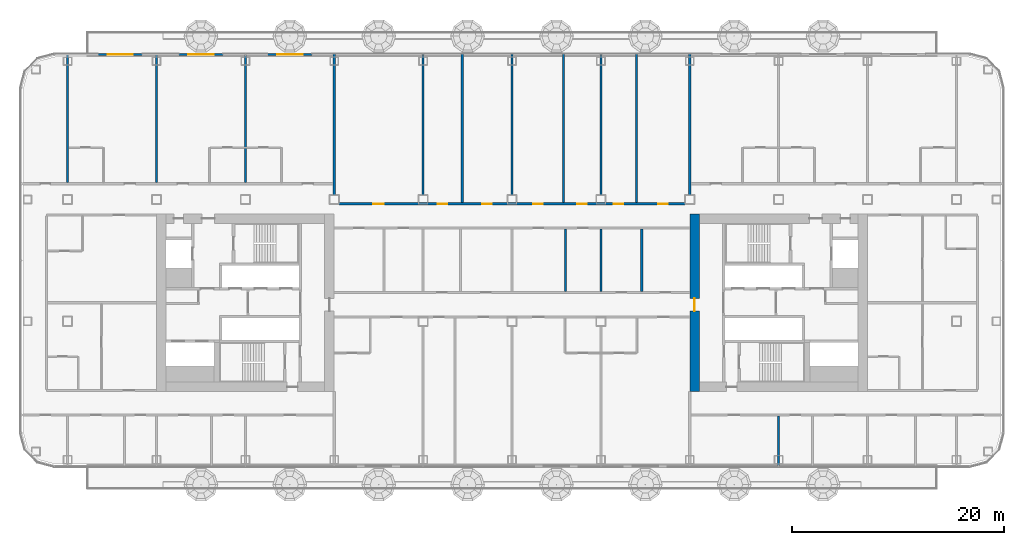
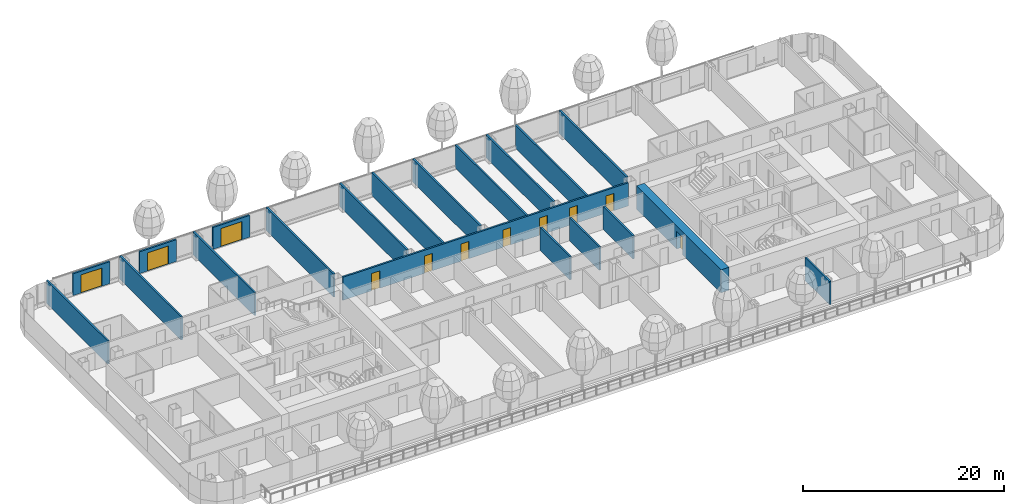
# One storey, part 16 of 34: 20 walls, 11 doors, 11 openings, 1 element without a shape of its own.
"""IFC4 building model written with IfcOpenShell, lengths in metres."""

from ifc_helpers import new_model, si_unit, direction, frame, frame_2d, origin, place, context, subcontext, project, spatial, rectangle, extrude, material, layer, layer_set, type_object, element, fill, aggregate, save


model = new_model("IFC4")

# Units and contexts
model_context = context("Model", 3, precision=1e-05, world=origin(), true_north=direction((0.0, 1.0)))
body_context = subcontext(model_context, "Body", "Model", "MODEL_VIEW")
ifc_project = project(units=[si_unit("LENGTHUNIT", "METRE"), si_unit("AREAUNIT", "SQUARE_METRE"), si_unit("VOLUMEUNIT", "CUBIC_METRE"), si_unit("PLANEANGLEUNIT", "RADIAN"), si_unit("MASSUNIT", "GRAM", prefix="KILO")], contexts=[model_context])

# Site, building, storey
site_placement = place(None, origin())
site = spatial("IfcSite", under=ifc_project, at=site_placement, CompositionType="ELEMENT")
building_placement = place(site_placement, origin())
building = spatial("IfcBuilding", under=site, at=building_placement, Name="Hakoniwa Tower and Hamabe Station Hall", CompositionType="ELEMENT")
storey_placement = place(building_placement, frame((0.0, 0.0, 107.39990234375)))
storey = spatial("IfcBuildingStorey", under=building, at=storey_placement, Name="L30", CompositionType="ELEMENT", Elevation=107.39990234375)

# Wall, opening, door
ifc_material_1 = material(Name="Concrete C72", Category="concrete")
ifc_layer_1 = layer(ifc_material_1, 0.89990234375)
ifc_layer_set_1 = layer_set([ifc_layer_1], Name="CORE WALL 900 C72")
wall_type_1 = type_object("IfcWallType", Name="CORE WALL 900 C72", PredefinedType="SHEAR", material=ifc_layer_set_1)
wall_1_placement = place(storey_placement, frame((17.25, -8.39990234375, 0.0), z_axis=(0.0, 0.0, 1.0), x_axis=(0.0, 1.0, 0.0)))
wall_1 = element("IfcWall", 1, at=wall_1_placement, inside=storey, type_object=wall_type_1, Name="Core wall INNER east", PredefinedType="SHEAR", context=body_context, shape_type="SweptSolid", body=[
    extrude(rectangle(XDim=16.7998046875, YDim=0.89990234375, at=frame_2d((8.39990234375, 0.0))), origin(), (0.0, 0.0, 1.0), 2.800048828125),
])
opening_1_placement = place(wall_1_placement, frame((7.60009765625, 0.0, 0.0)))
opening_1 = element("IfcOpeningElement", 2, at=opening_1_placement, cuts=wall_1, Name="Opening CD-E-IN1-12", PredefinedType="OPENING", context=body_context, shape_type="SweptSolid", body=[
    extrude(rectangle(XDim=1.199951171875, YDim=2.10009765625, at=frame_2d((0.60009765625, 1.050048828125))), frame((0.0, 0.4599609375, 0.0), z_axis=(0.0, -1.0, 0.0), x_axis=(1.0, 0.0, 0.0)), (0.0, 0.0, 1.0), 0.919921875),
])
ifc_material_2 = material(Name="Steel fire door", Category="steel")
door_type_1 = type_object("IfcDoorType", Name="CORE DOOR 1200 FD60", OperationType="DOUBLE_DOOR_SINGLE_SWING", PredefinedType="DOOR", material=ifc_material_2)
door_1_placement = place(opening_1_placement, origin())
door_1 = element("IfcDoor", 3, at=door_1_placement, inside=storey, type_object=door_type_1, Name="Lift lobby door", OperationType="DOUBLE_DOOR_SINGLE_SWING", OverallHeight=2.10009765625, OverallWidth=1.199951171875, PredefinedType="DOOR", context=body_context, shape_type="SweptSolid", body=[
    extrude(rectangle(XDim=1.199951171875, YDim=2.10009765625, at=frame_2d((0.60009765625, 1.050048828125))), frame((0.0, 0.02490234375, 0.0), z_axis=(0.0, -1.0, 0.0), x_axis=(1.0, 0.0, 0.0)), (0.0, 0.0, 1.0), 0.050048828125),
])
fill(opening_1, door_1)

# Wall, openings, doors
ifc_material_3 = material(Name="Fire-rated gypsum board partition", Category="gypsum")
ifc_layer_2 = layer(ifc_material_3, 0.199951171875)
ifc_layer_set_2 = layer_set([ifc_layer_2], Name="Corridor Wall 200")
wall_type_2 = type_object("IfcWallType", Name="Corridor Wall 200", PredefinedType="PARTITIONING", material=ifc_layer_set_2)
wall_2_placement = place(storey_placement, frame((-16.360107421875, 9.35009765625, 0.0), z_axis=(0.0, 0.0, 1.0), x_axis=(1.0, 0.0, 0.0)))
wall_2 = element("IfcWall", 4, at=wall_2_placement, inside=storey, type_object=wall_type_2, Name="GW-L30-018", PredefinedType="PARTITIONING", context=body_context, shape_type="SweptSolid", body=[
    extrude(rectangle(XDim=32.72021484375, YDim=0.199951171875, at=frame_2d((16.360107421875, 0.0))), origin(), (0.0, 0.0, 1.0), 2.800048828125),
])
opening_2_placement = place(wall_2_placement, frame((3.260009765625, 0.0, 0.0)))
opening_2 = element("IfcOpeningElement", 5, at=opening_2_placement, cuts=wall_2, Name="Opening GD-G2A2-37", PredefinedType="OPENING", context=body_context, shape_type="SweptSolid", body=[
    extrude(rectangle(XDim=1.0, YDim=2.10009765625, at=frame_2d((0.5, 1.050048828125))), frame((0.0, 0.10986328125, 0.0), z_axis=(0.0, -1.0, 0.0), x_axis=(1.0, 0.0, 0.0)), (0.0, 0.0, 1.0), 0.219970703125),
])
opening_3_placement = place(wall_2_placement, frame((9.360107421875, 0.0, 0.0)))
opening_3 = element("IfcOpeningElement", 6, at=opening_3_placement, cuts=wall_2, Name="Opening GD-G2A2-38", PredefinedType="OPENING", context=body_context, shape_type="SweptSolid", body=[
    extrude(rectangle(XDim=0.89990234375, YDim=2.10009765625, at=frame_2d((0.449951171875, 1.050048828125))), frame((0.0, 0.10986328125, 0.0), z_axis=(0.0, -1.0, 0.0), x_axis=(1.0, 0.0, 0.0)), (0.0, 0.0, 1.0), 0.219970703125),
])
opening_4_placement = place(wall_2_placement, frame((13.56005859375, 0.0, 0.0)))
opening_4 = element("IfcOpeningElement", 7, at=opening_4_placement, cuts=wall_2, Name="Opening GD-G2A2-39", PredefinedType="OPENING", context=body_context, shape_type="SweptSolid", body=[
    extrude(rectangle(XDim=0.89990234375, YDim=2.10009765625, at=frame_2d((0.449951171875, 1.050048828125))), frame((0.0, 0.10986328125, 0.0), z_axis=(0.0, -1.0, 0.0), x_axis=(1.0, 0.0, 0.0)), (0.0, 0.0, 1.0), 0.219970703125),
])
opening_5_placement = place(wall_2_placement, frame((18.344970703125, 0.0, 0.0)))
opening_5 = element("IfcOpeningElement", 8, at=opening_5_placement, cuts=wall_2, Name="Opening GD-G2A2-40", PredefinedType="OPENING", context=body_context, shape_type="SweptSolid", body=[
    extrude(rectangle(XDim=0.89990234375, YDim=2.10009765625, at=frame_2d((0.449951171875, 1.050048828125))), frame((0.0, 0.10986328125, 0.0), z_axis=(0.0, -1.0, 0.0), x_axis=(1.0, 0.0, 0.0)), (0.0, 0.0, 1.0), 0.219970703125),
])
opening_6_placement = place(wall_2_placement, frame((22.544921875, 0.0, 0.0)))
opening_6 = element("IfcOpeningElement", 9, at=opening_6_placement, cuts=wall_2, Name="Opening GD-G2A2-41", PredefinedType="OPENING", context=body_context, shape_type="SweptSolid", body=[
    extrude(rectangle(XDim=0.89990234375, YDim=2.10009765625, at=frame_2d((0.449951171875, 1.050048828125))), frame((0.0, 0.10986328125, 0.0), z_axis=(0.0, -1.0, 0.0), x_axis=(1.0, 0.0, 0.0)), (0.0, 0.0, 1.0), 0.219970703125),
])
opening_7_placement = place(wall_2_placement, frame((25.989990234375, 0.0, 0.0)))
opening_7 = element("IfcOpeningElement", 10, at=opening_7_placement, cuts=wall_2, Name="Opening GD-G2A2-42", PredefinedType="OPENING", context=body_context, shape_type="SweptSolid", body=[
    extrude(rectangle(XDim=0.89990234375, YDim=2.10009765625, at=frame_2d((0.449951171875, 1.050048828125))), frame((0.0, 0.10986328125, 0.0), z_axis=(0.0, -1.0, 0.0), x_axis=(1.0, 0.0, 0.0)), (0.0, 0.0, 1.0), 0.219970703125),
])
opening_8_placement = place(wall_2_placement, frame((30.18994140625, 0.0, 0.0)))
opening_8 = element("IfcOpeningElement", 11, at=opening_8_placement, cuts=wall_2, Name="Opening GD-G2A2-43", PredefinedType="OPENING", context=body_context, shape_type="SweptSolid", body=[
    extrude(rectangle(XDim=0.89990234375, YDim=2.10009765625, at=frame_2d((0.449951171875, 1.050048828125))), frame((0.0, 0.10986328125, 0.0), z_axis=(0.0, -1.0, 0.0), x_axis=(1.0, 0.0, 0.0)), (0.0, 0.0, 1.0), 0.219970703125),
])
ifc_material_4 = material(Name="Timber door leaf", Category="wood")
door_type_2 = type_object("IfcDoorType", Name="Guest Entrance Door 1000", OperationType="SINGLE_SWING_LEFT", PredefinedType="DOOR", material=ifc_material_4)
door_2_placement = place(opening_2_placement, origin())
door_2 = element("IfcDoor", 12, at=door_2_placement, inside=storey, type_object=door_type_2, Name="Door GD-G2A2-37", OperationType="SINGLE_SWING_LEFT", OverallHeight=2.10009765625, OverallWidth=1.0, PredefinedType="DOOR", context=body_context, shape_type="SweptSolid", body=[
    extrude(rectangle(XDim=1.0, YDim=2.10009765625, at=frame_2d((0.5, 1.050048828125))), frame((0.0, 0.02490234375, 0.0), z_axis=(0.0, -1.0, 0.0), x_axis=(1.0, 0.0, 0.0)), (0.0, 0.0, 1.0), 0.050048828125),
])
fill(opening_2, door_2)
ifc_material_5 = material(Name="Timber door leaf", Category="wood")
door_type_3 = type_object("IfcDoorType", Name="Service Door 900", OperationType="SINGLE_SWING_LEFT", PredefinedType="DOOR", material=ifc_material_5)
door_3_placement = place(opening_3_placement, origin())
door_3 = element("IfcDoor", 13, at=door_3_placement, inside=storey, type_object=door_type_3, Name="Door GD-G2A2-38", OperationType="SINGLE_SWING_LEFT", OverallHeight=2.10009765625, OverallWidth=0.89990234375, PredefinedType="DOOR", context=body_context, shape_type="SweptSolid", body=[
    extrude(rectangle(XDim=0.89990234375, YDim=2.10009765625, at=frame_2d((0.449951171875, 1.050048828125))), frame((0.0, 0.02490234375, 0.0), z_axis=(0.0, -1.0, 0.0), x_axis=(1.0, 0.0, 0.0)), (0.0, 0.0, 1.0), 0.050048828125),
])
fill(opening_3, door_3)
door_4_placement = place(opening_4_placement, origin())
door_4 = element("IfcDoor", 14, at=door_4_placement, inside=storey, type_object=door_type_3, Name="Door GD-G2A2-39", OperationType="SINGLE_SWING_LEFT", OverallHeight=2.10009765625, OverallWidth=0.89990234375, PredefinedType="DOOR", context=body_context, shape_type="SweptSolid", body=[
    extrude(rectangle(XDim=0.89990234375, YDim=2.10009765625, at=frame_2d((0.449951171875, 1.050048828125))), frame((0.0, 0.02490234375, 0.0), z_axis=(0.0, -1.0, 0.0), x_axis=(1.0, 0.0, 0.0)), (0.0, 0.0, 1.0), 0.050048828125),
])
fill(opening_4, door_4)
door_5_placement = place(opening_5_placement, origin())
door_5 = element("IfcDoor", 15, at=door_5_placement, inside=storey, type_object=door_type_3, Name="Door GD-G2A2-40", OperationType="SINGLE_SWING_LEFT", OverallHeight=2.10009765625, OverallWidth=0.89990234375, PredefinedType="DOOR", context=body_context, shape_type="SweptSolid", body=[
    extrude(rectangle(XDim=0.89990234375, YDim=2.10009765625, at=frame_2d((0.449951171875, 1.050048828125))), frame((0.0, 0.02490234375, 0.0), z_axis=(0.0, -1.0, 0.0), x_axis=(1.0, 0.0, 0.0)), (0.0, 0.0, 1.0), 0.050048828125),
])
fill(opening_5, door_5)
door_6_placement = place(opening_6_placement, origin())
door_6 = element("IfcDoor", 16, at=door_6_placement, inside=storey, type_object=door_type_3, Name="Door GD-G2A2-41", OperationType="SINGLE_SWING_RIGHT", OverallHeight=2.10009765625, OverallWidth=0.89990234375, PredefinedType="DOOR", context=body_context, shape_type="SweptSolid", body=[
    extrude(rectangle(XDim=0.89990234375, YDim=2.10009765625, at=frame_2d((0.449951171875, 1.050048828125))), frame((0.0, 0.02490234375, 0.0), z_axis=(0.0, -1.0, 0.0), x_axis=(1.0, 0.0, 0.0)), (0.0, 0.0, 1.0), 0.050048828125),
])
fill(opening_6, door_6)
door_7_placement = place(opening_7_placement, origin())
door_7 = element("IfcDoor", 17, at=door_7_placement, inside=storey, type_object=door_type_3, Name="Door GD-G2A2-42", OperationType="SINGLE_SWING_LEFT", OverallHeight=2.10009765625, OverallWidth=0.89990234375, PredefinedType="DOOR", context=body_context, shape_type="SweptSolid", body=[
    extrude(rectangle(XDim=0.89990234375, YDim=2.10009765625, at=frame_2d((0.449951171875, 1.050048828125))), frame((0.0, 0.02490234375, 0.0), z_axis=(0.0, -1.0, 0.0), x_axis=(1.0, 0.0, 0.0)), (0.0, 0.0, 1.0), 0.050048828125),
])
fill(opening_7, door_7)
door_8_placement = place(opening_8_placement, origin())
door_8 = element("IfcDoor", 18, at=door_8_placement, inside=storey, type_object=door_type_3, Name="Door GD-G2A2-43", OperationType="SINGLE_SWING_RIGHT", OverallHeight=2.10009765625, OverallWidth=0.89990234375, PredefinedType="DOOR", context=body_context, shape_type="SweptSolid", body=[
    extrude(rectangle(XDim=0.89990234375, YDim=2.10009765625, at=frame_2d((0.449951171875, 1.050048828125))), frame((0.0, 0.02490234375, 0.0), z_axis=(0.0, -1.0, 0.0), x_axis=(1.0, 0.0, 0.0)), (0.0, 0.0, 1.0), 0.050048828125),
])
fill(opening_8, door_8)

# Curtain wall, walls, openings, doors
ifc_material_6 = material(Name="Dark low-e laminated glass", Category="glass")
ifc_layer_3 = layer(ifc_material_6, 0.199951171875)
ifc_layer_set_3 = layer_set([ifc_layer_3], Name="CW-1 UNITISED GUEST")
curtain_wall_type = type_object("IfcCurtainWallType", Name="CW-1 UNITISED GUEST", PredefinedType="NOTDEFINED", material=ifc_layer_set_3)
curtain_wall_placement = place(storey_placement, origin())
curtain_wall = element("IfcCurtainWall", 19, at=curtain_wall_placement, inside=storey, type_object=curtain_wall_type, Name="CW-1 curtain wall", PredefinedType="NOTDEFINED")
ifc_material_7 = material(Name="Dark glass-faced aluminium panel", Category="aluminium")
ifc_layer_4 = layer(ifc_material_7, 0.199951171875)
ifc_layer_set_4 = layer_set([ifc_layer_4], Name="DOOR BAY WALL")
wall_type_3 = type_object("IfcWallType", Name="DOOR BAY WALL", PredefinedType="NOTDEFINED", material=ifc_layer_set_4)
wall_3_placement = place(storey_placement, frame((-18.889892578125, 23.449951171875, 0.0), z_axis=(0.0, 0.0, 1.0), x_axis=(-1.0, 0.0, 0.0)))
wall_3 = element("IfcWall", 20, at=wall_3_placement, type_object=wall_type_3, Name="Door bay wall", PredefinedType="NOTDEFINED", context=body_context, shape_type="SweptSolid", body=[
    extrude(rectangle(XDim=4.22021484375, YDim=0.199951171875, at=frame_2d((2.110107421875, 0.0))), origin(), (0.0, 0.0, 1.0), 2.650146484375),
])
opening_9_placement = place(wall_3_placement, frame((0.909912109375, 0.0, 0.0)))
opening_9 = element("IfcOpeningElement", 21, at=opening_9_placement, cuts=wall_3, Name="Opening BD-N03-9", PredefinedType="OPENING", context=body_context, shape_type="SweptSolid", body=[
    extrude(rectangle(XDim=2.39990234375, YDim=2.199951171875, at=frame_2d((1.199951171875, 1.10009765625))), frame((0.0, 0.10986328125, 0.0), z_axis=(0.0, -1.0, 0.0), x_axis=(1.0, 0.0, 0.0)), (0.0, 0.0, 1.0), 0.219970703125),
])
ifc_material_8 = material(Name="Dark low-e laminated glass", Category="glass")
door_type_4 = type_object("IfcDoorType", Name="BALCONY SLIDING DOOR 2400X2200", OperationType="SLIDING_TO_LEFT", PredefinedType="DOOR", material=ifc_material_8)
door_9_placement = place(opening_9_placement, frame((2.39990234375, 0.0, 0.0), z_axis=(0.0, 0.0, 1.0), x_axis=(-1.0, 0.0, 0.0)))
door_9 = element("IfcDoor", 22, at=door_9_placement, inside=storey, type_object=door_type_4, Name="Balcony sliding door", OperationType="SLIDING_TO_LEFT", OverallHeight=2.199951171875, OverallWidth=2.39990234375, PredefinedType="DOOR", context=body_context, shape_type="SweptSolid", body=[
    extrude(rectangle(XDim=2.39990234375, YDim=2.199951171875, at=frame_2d((1.199951171875, 1.10009765625))), frame((0.0, 0.02490234375, 0.0), z_axis=(0.0, -1.0, 0.0), x_axis=(1.0, 0.0, 0.0)), (0.0, 0.0, 1.0), 0.050048828125),
])
fill(opening_9, door_9)
wall_4_placement = place(storey_placement, frame((-27.2900390625, 23.449951171875, 0.0), z_axis=(0.0, 0.0, 1.0), x_axis=(-1.0, 0.0, 0.0)))
wall_4 = element("IfcWall", 23, at=wall_4_placement, type_object=wall_type_3, Name="Door bay wall", PredefinedType="NOTDEFINED", context=body_context, shape_type="SweptSolid", body=[
    extrude(rectangle(XDim=4.219970703125, YDim=0.199951171875, at=frame_2d((2.10986328125, 0.0))), origin(), (0.0, 0.0, 1.0), 2.650146484375),
])
opening_10_placement = place(wall_4_placement, frame((0.909912109375, 0.0, 0.0)))
opening_10 = element("IfcOpeningElement", 24, at=opening_10_placement, cuts=wall_4, Name="Opening BD-N03-8", PredefinedType="OPENING", context=body_context, shape_type="SweptSolid", body=[
    extrude(rectangle(XDim=2.39990234375, YDim=2.199951171875, at=frame_2d((1.199951171875, 1.10009765625))), frame((0.0, 0.10986328125, 0.0), z_axis=(0.0, -1.0, 0.0), x_axis=(1.0, 0.0, 0.0)), (0.0, 0.0, 1.0), 0.219970703125),
])
door_10_placement = place(opening_10_placement, frame((2.39990234375, 0.0, 0.0), z_axis=(0.0, 0.0, 1.0), x_axis=(-1.0, 0.0, 0.0)))
door_10 = element("IfcDoor", 25, at=door_10_placement, inside=storey, type_object=door_type_4, Name="Balcony sliding door", OperationType="SLIDING_TO_LEFT", OverallHeight=2.199951171875, OverallWidth=2.39990234375, PredefinedType="DOOR", context=body_context, shape_type="SweptSolid", body=[
    extrude(rectangle(XDim=2.39990234375, YDim=2.199951171875, at=frame_2d((1.199951171875, 1.10009765625))), frame((0.0, 0.02490234375, 0.0), z_axis=(0.0, -1.0, 0.0), x_axis=(1.0, 0.0, 0.0)), (0.0, 0.0, 1.0), 0.050048828125),
])
fill(opening_10, door_10)
wall_5_placement = place(storey_placement, frame((-34.9150390625, 23.449951171875, 0.0), z_axis=(0.0, 0.0, 1.0), x_axis=(-1.0, 0.0, 0.0)))
wall_5 = element("IfcWall", 26, at=wall_5_placement, type_object=wall_type_3, Name="Door bay wall", PredefinedType="NOTDEFINED", context=body_context, shape_type="SweptSolid", body=[
    extrude(rectangle(XDim=4.219970703125, YDim=0.199951171875, at=frame_2d((2.10986328125, 0.0))), origin(), (0.0, 0.0, 1.0), 2.650146484375),
])
opening_11_placement = place(wall_5_placement, frame((0.909912109375, 0.0, 0.0)))
opening_11 = element("IfcOpeningElement", 27, at=opening_11_placement, cuts=wall_5, Name="Opening BD-N03-7", PredefinedType="OPENING", context=body_context, shape_type="SweptSolid", body=[
    extrude(rectangle(XDim=2.39990234375, YDim=2.199951171875, at=frame_2d((1.199951171875, 1.10009765625))), frame((0.0, 0.10986328125, 0.0), z_axis=(0.0, -1.0, 0.0), x_axis=(1.0, 0.0, 0.0)), (0.0, 0.0, 1.0), 0.219970703125),
])
door_11_placement = place(opening_11_placement, frame((2.39990234375, 0.0, 0.0), z_axis=(0.0, 0.0, 1.0), x_axis=(-1.0, 0.0, 0.0)))
door_11 = element("IfcDoor", 28, at=door_11_placement, inside=storey, type_object=door_type_4, Name="Balcony sliding door", OperationType="SLIDING_TO_LEFT", OverallHeight=2.199951171875, OverallWidth=2.39990234375, PredefinedType="DOOR", context=body_context, shape_type="SweptSolid", body=[
    extrude(rectangle(XDim=2.39990234375, YDim=2.199951171875, at=frame_2d((1.199951171875, 1.10009765625))), frame((0.0, 0.02490234375, 0.0), z_axis=(0.0, -1.0, 0.0), x_axis=(1.0, 0.0, 0.0)), (0.0, 0.0, 1.0), 0.050048828125),
])
fill(opening_11, door_11)
aggregate(curtain_wall, [wall_3, wall_4, wall_5])

# Walls
ifc_material_9 = material(Name="Fire-rated gypsum board partition", Category="gypsum")
ifc_layer_5 = layer(ifc_material_9, 0.199951171875)
ifc_layer_set_5 = layer_set([ifc_layer_5], Name="Party Wall 200")
wall_type_4 = type_object("IfcWallType", Name="Party Wall 200", PredefinedType="PARTITIONING", material=ifc_layer_set_5)
for number, where, z_axis, x_axis, name in (
    (29, (-42.0, 11.35009765625, 0.0), (0.0, 0.0, 1.0), (0.0, 1.0, 0.0), "GW-L30-027"),
    (30, (-33.60009765625, 11.35009765625, 0.0), (0.0, 0.0, 1.0), (0.0, 1.0, 0.0), "GW-L30-034"),
    (31, (-25.199951171875, 11.35009765625, 0.0), (0.0, 0.0, 1.0), (0.0, 1.0, 0.0), "GW-L30-038"),
):
    element("IfcWall", number, at=place(storey_placement, frame(where, z_axis=z_axis, x_axis=x_axis)), inside=storey, type_object=wall_type_4, Name=name, PredefinedType="PARTITIONING", context=body_context, shape_type="SweptSolid", body=[
        extrude(rectangle(XDim=12.199951171875, YDim=0.199951171875, at=frame_2d((6.10009765625, 0.0))), origin(), (0.0, 0.0, 1.0), 2.800048828125),
    ])
for number, where, z_axis, x_axis, name in (
    (32, (-16.800048828125, 10.18994140625, 0.0), (0.0, 0.0, 1.0), (0.0, 1.0, 0.0), "GW-L30-041"),
    (33, (-8.39990234375, 10.18994140625, 0.0), (0.0, 0.0, 1.0), (0.0, 1.0, 0.0), "GW-L30-046"),
):
    element("IfcWall", number, at=place(storey_placement, frame(where, z_axis=z_axis, x_axis=x_axis)), inside=storey, type_object=wall_type_4, Name=name, PredefinedType="PARTITIONING", context=body_context, shape_type="SweptSolid", body=[
        extrude(rectangle(XDim=13.360107421875, YDim=0.199951171875, at=frame_2d((6.68017578125, 0.0))), origin(), (0.0, 0.0, 1.0), 2.800048828125),
    ])
wall_6_placement = place(storey_placement, frame((-4.699951171875, 9.449951171875, 0.0), z_axis=(0.0, 0.0, 1.0), x_axis=(0.0, 1.0, 0.0)))
element("IfcWall", 34, at=wall_6_placement, inside=storey, type_object=wall_type_4, Name="GW-L30-049", PredefinedType="PARTITIONING", context=body_context, shape_type="SweptSolid", body=[
    extrude(rectangle(XDim=14.10009765625, YDim=0.199951171875, at=frame_2d((7.050048828125, 0.0))), origin(), (0.0, 0.0, 1.0), 2.800048828125),
])
wall_7_placement = place(storey_placement, frame((0.0, 10.18994140625, 0.0), z_axis=(0.0, 0.0, 1.0), x_axis=(0.0, 1.0, 0.0)))
element("IfcWall", 35, at=wall_7_placement, inside=storey, type_object=wall_type_4, Name="GW-L30-052", PredefinedType="PARTITIONING", context=body_context, shape_type="SweptSolid", body=[
    extrude(rectangle(XDim=13.360107421875, YDim=0.199951171875, at=frame_2d((6.68017578125, 0.0))), origin(), (0.0, 0.0, 1.0), 2.800048828125),
])
wall_8_placement = place(storey_placement, frame((4.8701171875, 9.449951171875, 0.0), z_axis=(0.0, 0.0, 1.0), x_axis=(0.0, 1.0, 0.0)))
element("IfcWall", 36, at=wall_8_placement, inside=storey, type_object=wall_type_4, Name="GW-L30-053", PredefinedType="PARTITIONING", context=body_context, shape_type="SweptSolid", body=[
    extrude(rectangle(XDim=14.10009765625, YDim=0.199951171875, at=frame_2d((7.050048828125, 0.0))), origin(), (0.0, 0.0, 1.0), 2.800048828125),
])
for number, where, z_axis, x_axis, name in (
    (37, (5.0400390625, 1.050048828125, 0.0), (0.0, 0.0, 1.0), (0.0, 1.0, 0.0), "GW-L30-055"),
    (38, (8.39990234375, 1.050048828125, 0.0), (0.0, 0.0, 1.0), (0.0, 1.0, 0.0), "GW-L30-057"),
):
    element("IfcWall", number, at=place(storey_placement, frame(where, z_axis=z_axis, x_axis=x_axis)), inside=storey, type_object=wall_type_4, Name=name, PredefinedType="PARTITIONING", context=body_context, shape_type="SweptSolid", body=[
        extrude(rectangle(XDim=5.89990234375, YDim=0.199951171875, at=frame_2d((2.949951171875, 0.0))), origin(), (0.0, 0.0, 1.0), 2.800048828125),
    ])
wall_9_placement = place(storey_placement, frame((8.39990234375, 10.18994140625, 0.0), z_axis=(0.0, 0.0, 1.0), x_axis=(0.0, 1.0, 0.0)))
element("IfcWall", 39, at=wall_9_placement, inside=storey, type_object=wall_type_4, Name="GW-L30-058", PredefinedType="PARTITIONING", context=body_context, shape_type="SweptSolid", body=[
    extrude(rectangle(XDim=13.360107421875, YDim=0.199951171875, at=frame_2d((6.68017578125, 0.0))), origin(), (0.0, 0.0, 1.0), 2.800048828125),
])
wall_10_placement = place(storey_placement, frame((11.760009765625, 9.449951171875, 0.0), z_axis=(0.0, 0.0, 1.0), x_axis=(0.0, 1.0, 0.0)))
element("IfcWall", 40, at=wall_10_placement, inside=storey, type_object=wall_type_4, Name="GW-L30-059", PredefinedType="PARTITIONING", context=body_context, shape_type="SweptSolid", body=[
    extrude(rectangle(XDim=14.10009765625, YDim=0.199951171875, at=frame_2d((7.050048828125, 0.0))), origin(), (0.0, 0.0, 1.0), 2.800048828125),
])
wall_11_placement = place(storey_placement, frame((12.260009765625, 1.050048828125, 0.0), z_axis=(0.0, 0.0, 1.0), x_axis=(0.0, 1.0, 0.0)))
element("IfcWall", 41, at=wall_11_placement, inside=storey, type_object=wall_type_4, Name="GW-L30-061", PredefinedType="PARTITIONING", context=body_context, shape_type="SweptSolid", body=[
    extrude(rectangle(XDim=5.89990234375, YDim=0.199951171875, at=frame_2d((2.949951171875, 0.0))), origin(), (0.0, 0.0, 1.0), 2.800048828125),
])
wall_12_placement = place(storey_placement, frame((16.800048828125, 10.18994140625, 0.0), z_axis=(0.0, 0.0, 1.0), x_axis=(0.0, 1.0, 0.0)))
element("IfcWall", 42, at=wall_12_placement, inside=storey, type_object=wall_type_4, Name="GW-L30-063", PredefinedType="PARTITIONING", context=body_context, shape_type="SweptSolid", body=[
    extrude(rectangle(XDim=13.360107421875, YDim=0.199951171875, at=frame_2d((6.68017578125, 0.0))), origin(), (0.0, 0.0, 1.0), 2.800048828125),
])
wall_13_placement = place(storey_placement, frame((25.199951171875, -15.550048828125, 0.0), z_axis=(0.0, 0.0, 1.0), x_axis=(0.0, 1.0, 0.0)))
element("IfcWall", 43, at=wall_13_placement, inside=storey, type_object=wall_type_4, Name="GW-L30-065", PredefinedType="PARTITIONING", context=body_context, shape_type="SweptSolid", body=[
    extrude(rectangle(XDim=4.85009765625, YDim=0.199951171875, at=frame_2d((2.425048828125, 0.0))), origin(), (0.0, 0.0, 1.0), 2.800048828125),
])

save(model, "model.ifc")
